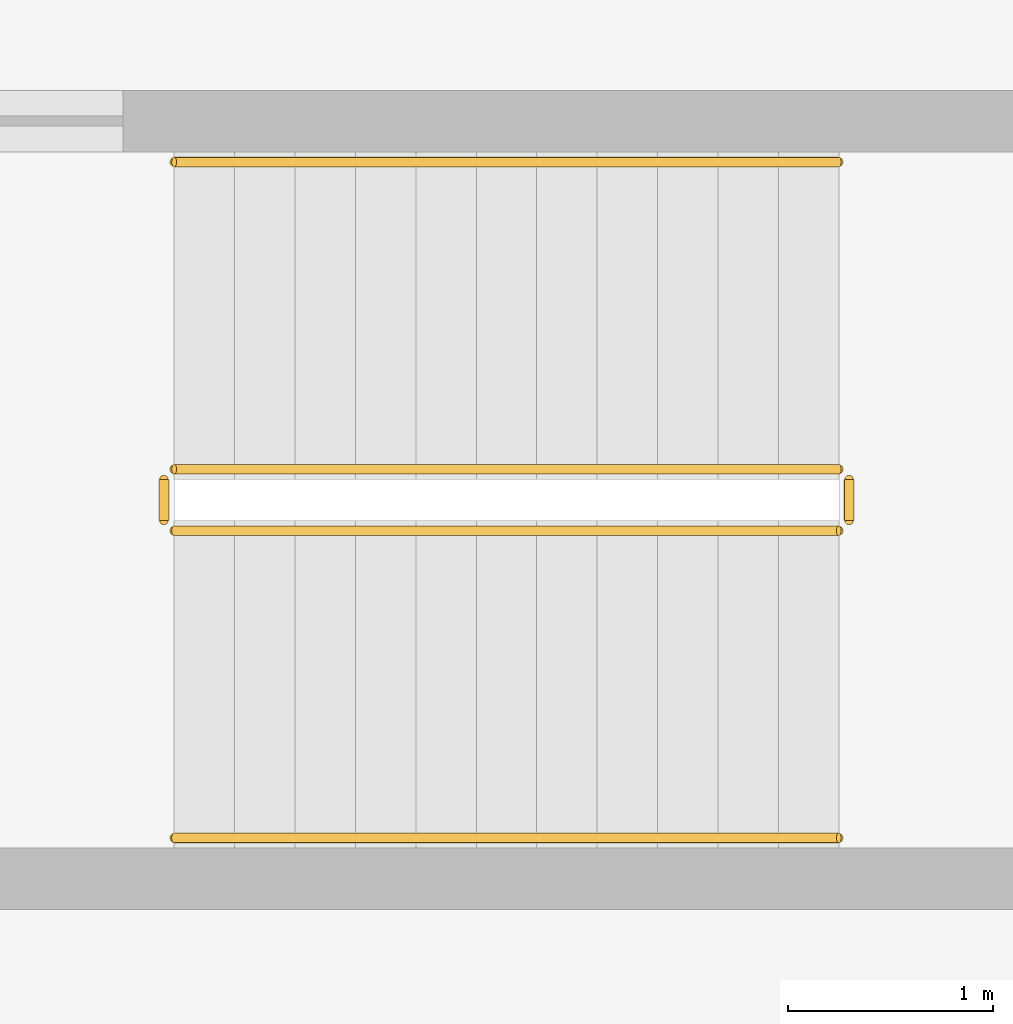
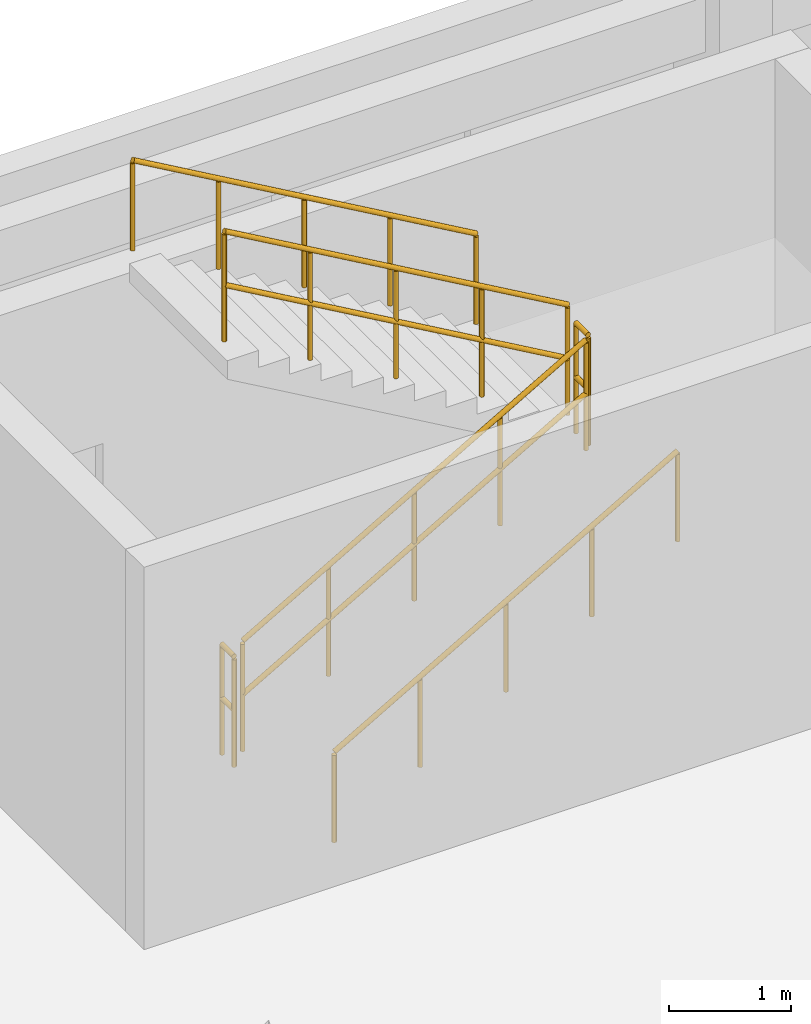
# One storey, part 146 of 146: 6 railings.
"""IFC4 building model written with IfcOpenShell, lengths in metres."""

from ifc_helpers import new_model, si_unit, direction, frame, origin, origin_2d, place, context, subcontext, project, spatial, circle, extrude, material, type_object, element, save


model = new_model("IFC4")

# Units and contexts
model_context = context("Model", 3, precision=1e-05, world=origin(), true_north=direction((0.0, 1.0)))
body_context = subcontext(model_context, "Body", "Model", "MODEL_VIEW")
ifc_project = project(units=[si_unit("LENGTHUNIT", "METRE"), si_unit("AREAUNIT", "SQUARE_METRE"), si_unit("VOLUMEUNIT", "CUBIC_METRE"), si_unit("PLANEANGLEUNIT", "RADIAN"), si_unit("MASSUNIT", "GRAM", prefix="KILO")], contexts=[model_context])

# Site, building, storey
site_placement = place(None, origin())
site = spatial("IfcSite", under=ifc_project, at=site_placement, CompositionType="ELEMENT")
building_placement = place(site_placement, origin())
building = spatial("IfcBuilding", under=site, at=building_placement, Name="Valcora Specialist Clinic", CompositionType="ELEMENT")
storey_placement = place(building_placement, frame((0.0, 0.0, 9.52001953125)))
storey = spatial("IfcBuildingStorey", under=building, at=storey_placement, Name="L02", CompositionType="ELEMENT", Elevation=9.52001953125)

# Railings
ifc_material = material(Name="Stainless Steel AISI 316", Category="steel")
railing_type_1 = type_object("IfcRailingType", Name="TY-RL-GRD112", PredefinedType="GUARDRAIL", material=ifc_material)
railing_1_placement = place(storey_placement, frame((119.699951171875, 106.949951171875, 0.169921875)))
element("IfcRailing", 1, at=railing_1_placement, inside=storey, type_object=railing_type_1, Name="L02 ST-V4C stair guard 1", PredefinedType="GUARDRAIL", context=body_context, shape_type="SweptSolid", body=[
    extrude(circle(Radius=0.02392578125, at=origin_2d()), frame((0.0, 0.0, 1.09619140625), z_axis=(0.866424229515, 0.0, 0.499308576443), x_axis=(0.0, 1.0, 0.0)), (0.0, 0.0, 1.0), 3.745361328125),
    extrude(circle(Radius=0.02392578125, at=origin_2d()), frame((0.0, 0.0, 0.56005859375), z_axis=(0.866424229515, 0.0, 0.499308576443), x_axis=(0.0, 1.0, 0.0)), (0.0, 0.0, 1.0), 3.745361328125),
    extrude(circle(Radius=0.02099609375, at=origin_2d()), origin(), (0.0, 0.0, 1.0), 1.072021484375),
    extrude(circle(Radius=0.02099609375, at=origin_2d()), frame((0.811279296875, 0.0, 0.467529296875)), (0.0, 0.0, 1.0), 1.072021484375),
    extrude(circle(Radius=0.02099609375, at=origin_2d()), frame((1.62255859375, 0.0, 0.93505859375)), (0.0, 0.0, 1.0), 1.072021484375),
    extrude(circle(Radius=0.02099609375, at=origin_2d()), frame((2.433837890625, 0.0, 1.402587890625)), (0.0, 0.0, 1.0), 1.072021484375),
    extrude(circle(Radius=0.02099609375, at=origin_2d()), frame((3.2451171875, 0.0, 1.8701171875)), (0.0, 0.0, 1.0), 1.072021484375),
])
railing_2_placement = place(storey_placement, frame((122.9951171875, 107.0, 2.0400390625)))
element("IfcRailing", 2, at=railing_2_placement, inside=storey, type_object=railing_type_1, Name="L02 ST-V4C stair guard 2", PredefinedType="GUARDRAIL", context=body_context, shape_type="SweptSolid", body=[
    extrude(circle(Radius=0.02392578125, at=origin_2d()), frame((0.0, 0.0, 1.09619140625), z_axis=(0.0, 1.0, 0.0), x_axis=(-1.0, 0.0, 0.0)), (0.0, 0.0, 1.0), 0.199951171875),
    extrude(circle(Radius=0.02392578125, at=origin_2d()), frame((0.0, 0.0, 0.56005859375), z_axis=(0.0, 1.0, 0.0), x_axis=(-1.0, 0.0, 0.0)), (0.0, 0.0, 1.0), 0.199951171875),
    extrude(circle(Radius=0.02099609375, at=origin_2d()), origin(), (0.0, 0.0, 1.0), 1.072021484375),
    extrude(circle(Radius=0.02099609375, at=origin_2d()), frame((0.0, 0.199951171875, 0.0)), (0.0, 0.0, 1.0), 1.072021484375),
])
railing_3_placement = place(storey_placement, frame((122.945068359375, 107.25, 2.2099609375)))
element("IfcRailing", 3, at=railing_3_placement, inside=storey, type_object=railing_type_1, Name="L02 ST-V4C stair guard 3", PredefinedType="GUARDRAIL", context=body_context, shape_type="SweptSolid", body=[
    extrude(circle(Radius=0.02392578125, at=origin_2d()), frame((0.0, 0.0, 1.09619140625), z_axis=(-0.866424229515, 0.0, 0.499308576443), x_axis=(0.0, -1.0, 0.0)), (0.0, 0.0, 1.0), 3.745361328125),
    extrude(circle(Radius=0.02392578125, at=origin_2d()), frame((0.0, 0.0, 0.56005859375), z_axis=(-0.866424229515, 0.0, 0.499308576443), x_axis=(0.0, -1.0, 0.0)), (0.0, 0.0, 1.0), 3.745361328125),
    extrude(circle(Radius=0.02099609375, at=origin_2d()), origin(), (0.0, 0.0, 1.0), 1.072021484375),
    extrude(circle(Radius=0.02099609375, at=origin_2d()), frame((-0.811279296875, 0.0, 0.467529296875)), (0.0, 0.0, 1.0), 1.072021484375),
    extrude(circle(Radius=0.02099609375, at=origin_2d()), frame((-1.62255859375, 0.0, 0.93505859375)), (0.0, 0.0, 1.0), 1.072021484375),
    extrude(circle(Radius=0.02099609375, at=origin_2d()), frame((-2.433837890625, 0.0, 1.402587890625)), (0.0, 0.0, 1.0), 1.072021484375),
    extrude(circle(Radius=0.02099609375, at=origin_2d()), frame((-3.2451171875, 0.0, 1.8701171875)), (0.0, 0.0, 1.0), 1.072021484375),
])
railing_4_placement = place(storey_placement, frame((119.64990234375, 107.0, 0.0)))
element("IfcRailing", 4, at=railing_4_placement, inside=storey, type_object=railing_type_1, Name="L02 ST-V4C stair guard 4", PredefinedType="GUARDRAIL", context=body_context, shape_type="SweptSolid", body=[
    extrude(circle(Radius=0.02392578125, at=origin_2d()), frame((0.0, 0.0, 1.09619140625), z_axis=(0.0, 1.0, 0.0), x_axis=(-1.0, 0.0, 0.0)), (0.0, 0.0, 1.0), 0.199951171875),
    extrude(circle(Radius=0.02392578125, at=origin_2d()), frame((0.0, 0.0, 0.56005859375), z_axis=(0.0, 1.0, 0.0), x_axis=(-1.0, 0.0, 0.0)), (0.0, 0.0, 1.0), 0.199951171875),
    extrude(circle(Radius=0.02099609375, at=origin_2d()), origin(), (0.0, 0.0, 1.0), 1.072021484375),
    extrude(circle(Radius=0.02099609375, at=origin_2d()), frame((0.0, 0.199951171875, 0.0)), (0.0, 0.0, 1.0), 1.072021484375),
])
railing_type_2 = type_object("IfcRailingType", Name="TY-RL-HND092", PredefinedType="HANDRAIL", material=ifc_material)
railing_5_placement = place(storey_placement, frame((119.699951171875, 105.449951171875, 0.169921875)))
element("IfcRailing", 5, at=railing_5_placement, inside=storey, type_object=railing_type_2, Name="L02 ST-V4C stair handrail 1", PredefinedType="HANDRAIL", context=body_context, shape_type="SweptSolid", body=[
    extrude(circle(Radius=0.02392578125, at=origin_2d()), frame((0.0, 0.0, 0.89599609375), z_axis=(0.866424229515, 0.0, 0.499308576443), x_axis=(0.0, 1.0, 0.0)), (0.0, 0.0, 1.0), 3.745361328125),
    extrude(circle(Radius=0.02099609375, at=origin_2d()), origin(), (0.0, 0.0, 1.0), 0.871826171875),
    extrude(circle(Radius=0.02099609375, at=origin_2d()), frame((0.811279296875, 0.0, 0.467529296875)), (0.0, 0.0, 1.0), 0.871826171875),
    extrude(circle(Radius=0.02099609375, at=origin_2d()), frame((1.62255859375, 0.0, 0.93505859375)), (0.0, 0.0, 1.0), 0.871826171875),
    extrude(circle(Radius=0.02099609375, at=origin_2d()), frame((2.433837890625, 0.0, 1.402587890625)), (0.0, 0.0, 1.0), 0.871826171875),
    extrude(circle(Radius=0.02099609375, at=origin_2d()), frame((3.2451171875, 0.0, 1.8701171875)), (0.0, 0.0, 1.0), 0.871826171875),
])
railing_6_placement = place(storey_placement, frame((122.945068359375, 108.75, 2.2099609375)))
element("IfcRailing", 6, at=railing_6_placement, inside=storey, type_object=railing_type_2, Name="L02 ST-V4C stair handrail 2", PredefinedType="HANDRAIL", context=body_context, shape_type="SweptSolid", body=[
    extrude(circle(Radius=0.02392578125, at=origin_2d()), frame((0.0, 0.0, 0.89599609375), z_axis=(-0.866424229515, 0.0, 0.499308576443), x_axis=(0.0, -1.0, 0.0)), (0.0, 0.0, 1.0), 3.745361328125),
    extrude(circle(Radius=0.02099609375, at=origin_2d()), origin(), (0.0, 0.0, 1.0), 0.871826171875),
    extrude(circle(Radius=0.02099609375, at=origin_2d()), frame((-0.811279296875, 0.0, 0.467529296875)), (0.0, 0.0, 1.0), 0.871826171875),
    extrude(circle(Radius=0.02099609375, at=origin_2d()), frame((-1.62255859375, 0.0, 0.93505859375)), (0.0, 0.0, 1.0), 0.871826171875),
    extrude(circle(Radius=0.02099609375, at=origin_2d()), frame((-2.433837890625, 0.0, 1.402587890625)), (0.0, 0.0, 1.0), 0.871826171875),
    extrude(circle(Radius=0.02099609375, at=origin_2d()), frame((-3.2451171875, 0.0, 1.8701171875)), (0.0, 0.0, 1.0), 0.871826171875),
])

save(model, "model.ifc")
